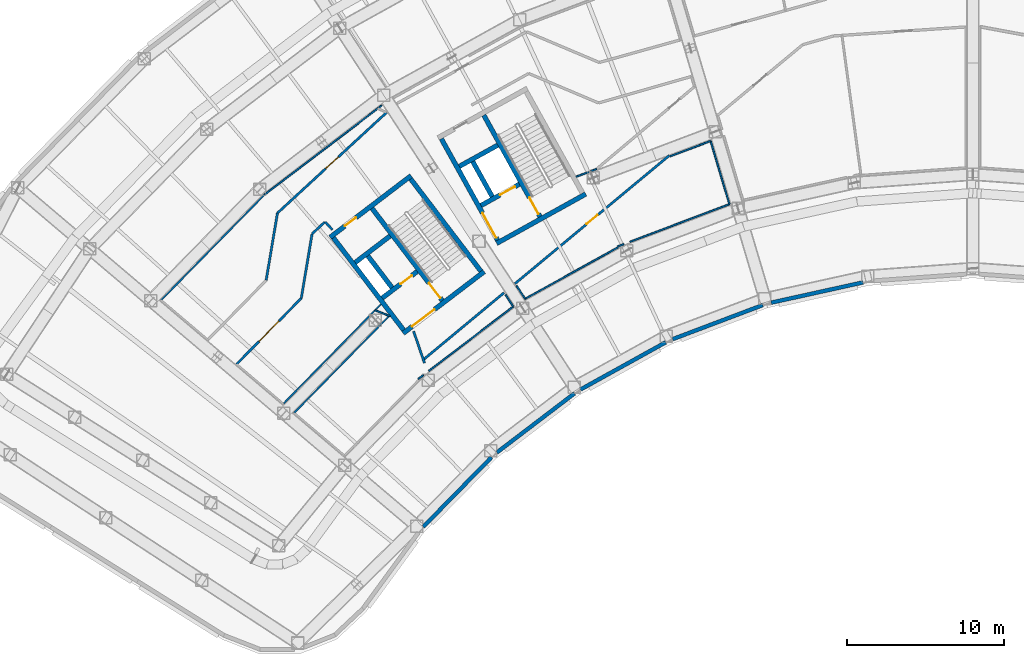
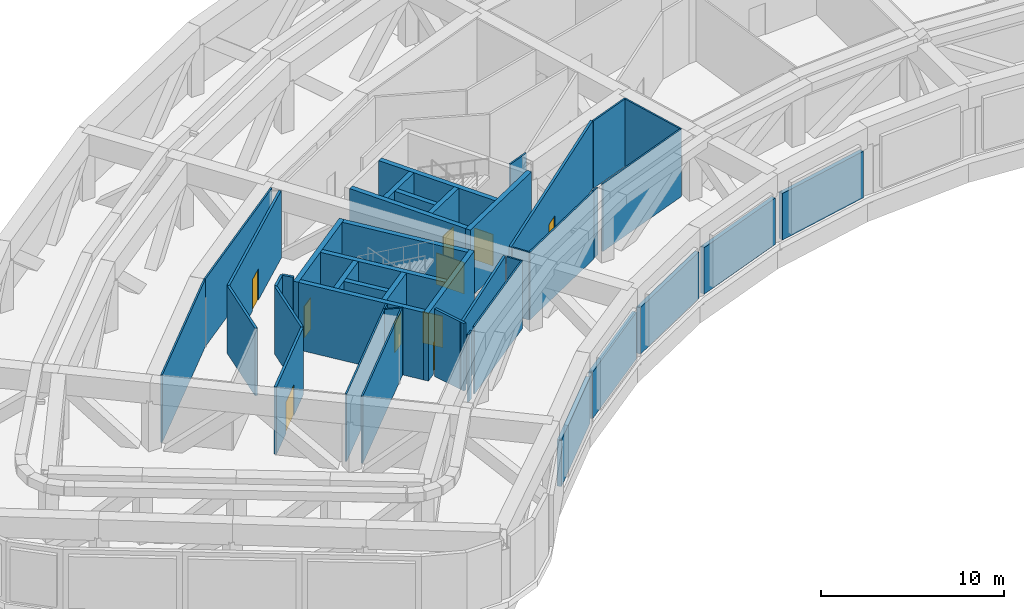
# One storey, part 10 of 30: 43 walls, 10 doors, 10 openings.
"""IFC4 building model written with IfcOpenShell, lengths in metres."""

from ifc_helpers import new_model, si_unit, direction, frame, frame_2d, origin, place, context, subcontext, project, spatial, rectangle, extrude, material, layer, layer_set, type_object, element, fill, save


model = new_model("IFC4")

# Units and contexts
model_context = context("Model", 3, precision=1e-05, world=origin(), true_north=direction((0.0, 1.0)))
body_context = subcontext(model_context, "Body", "Model", "MODEL_VIEW")
ifc_project = project(units=[si_unit("LENGTHUNIT", "METRE"), si_unit("AREAUNIT", "SQUARE_METRE"), si_unit("VOLUMEUNIT", "CUBIC_METRE"), si_unit("PLANEANGLEUNIT", "RADIAN"), si_unit("MASSUNIT", "GRAM", prefix="KILO")], contexts=[model_context])

# Site, building, storey
site_placement = place(None, origin())
site = spatial("IfcSite", under=ifc_project, at=site_placement, CompositionType="ELEMENT")
building_placement = place(site_placement, origin())
building = spatial("IfcBuilding", under=site, at=building_placement, Name="Tuul Gate Civic Tower", CompositionType="ELEMENT")
storey_placement = place(building_placement, frame((0.0, 0.0, 26.699951171875)))
storey = spatial("IfcBuildingStorey", under=building, at=storey_placement, Name="Plant and refuge floor 1", CompositionType="ELEMENT", Elevation=26.699951171875)

# Wall, opening, door
ifc_material_1 = material(Name="Concrete C50/60", Category="concrete")
ifc_layer_1 = layer(ifc_material_1, 0.300048828125)
ifc_layer_set_1 = layer_set([ifc_layer_1], Name="Concrete C50/60")
wall_type_1 = type_object("IfcWallType", Name="Core wall C50/60", PredefinedType="SHEAR", material=ifc_layer_set_1)
wall_1_placement = place(storey_placement, frame((-31.19091796875, -13.669677734375, 0.0), z_axis=(0.0, 0.0, 1.0), x_axis=(-0.795606717756, -0.605813461934, 0.0)))
wall_1 = element("IfcWall", 1, at=wall_1_placement, inside=storey, type_object=wall_type_1, Name="Core wall", PredefinedType="SHEAR", context=body_context, shape_type="SweptSolid", body=[
    extrude(rectangle(XDim=6.5, YDim=0.300048828125, at=frame_2d((3.25, 0.0))), origin(), (0.0, 0.0, 1.0), 4.5),
])
opening_1_placement = place(wall_1_placement, frame((3.97509765625, 0.0, 0.0)))
opening_1 = element("IfcOpeningElement", 2, at=opening_1_placement, cuts=wall_1, Name="Opening LB-W1-LOBBY-1", PredefinedType="OPENING", context=body_context, shape_type="SweptSolid", body=[
    extrude(rectangle(XDim=1.800048828125, YDim=2.10009765625, at=frame_2d((0.89990234375, 1.050048828125))), frame((0.0, 0.16015625, 0.0), z_axis=(0.0, -1.0, 0.0), x_axis=(1.0, 0.0, 0.0)), (0.0, 0.0, 1.0), 0.320068359375),
])
ifc_material_2 = material(Name="Steel", Category="steel")
door_type_1 = type_object("IfcDoorType", Name="Lobby door", OperationType="DOUBLE_DOOR_SINGLE_SWING", PredefinedType="DOOR", material=ifc_material_2)
door_1_placement = place(opening_1_placement, origin())
door_1 = element("IfcDoor", 3, at=door_1_placement, inside=storey, type_object=door_type_1, Name="Lobby door W1-LOBBY", OperationType="DOUBLE_DOOR_SINGLE_SWING", OverallHeight=2.10009765625, OverallWidth=1.800048828125, PredefinedType="DOOR", context=body_context, shape_type="SweptSolid", body=[
    extrude(rectangle(XDim=1.800048828125, YDim=2.10009765625, at=frame_2d((0.89990234375, 1.050048828125))), frame((0.0, 0.02490234375, 0.0), z_axis=(0.0, -1.0, 0.0), x_axis=(1.0, 0.0, 0.0)), (0.0, 0.0, 1.0), 0.050048828125),
])
fill(opening_1, door_1)

wall_2_placement = place(storey_placement, frame((-35.470947265625, -13.66064453125, 0.0), z_axis=(0.0, 0.0, 1.0), x_axis=(-0.795615822227, -0.605801504968, 0.0)))
wall_2 = element("IfcWall", 4, at=wall_2_placement, inside=storey, type_object=wall_type_1, Name="Core wall", PredefinedType="SHEAR", context=body_context, shape_type="SweptSolid", body=[
    extrude(rectangle(XDim=2.800048828125, YDim=0.300048828125, at=frame_2d((1.39990234375, 0.0))), origin(), (0.0, 0.0, 1.0), 4.5),
])
opening_2_placement = place(wall_2_placement, frame((0.425048828125, 0.0, 0.0)))
opening_2 = element("IfcOpeningElement", 5, at=opening_2_placement, cuts=wall_2, Name="Opening FB-W1A1", PredefinedType="OPENING", context=body_context, shape_type="SweptSolid", body=[
    extrude(rectangle(XDim=0.89990234375, YDim=2.10009765625, at=frame_2d((0.449951171875, 1.050048828125))), frame((0.0, 0.16015625, 0.0), z_axis=(0.0, -1.0, 0.0), x_axis=(1.0, 0.0, 0.0)), (0.0, 0.0, 1.0), 0.320068359375),
])
ifc_material_3 = material(Name="Steel", Category="steel")
door_type_2 = type_object("IfcDoorType", Name="Store door", OperationType="NOTDEFINED", PredefinedType="DOOR", material=ifc_material_3)
door_2_placement = place(opening_2_placement, frame((0.89990234375, 0.0, 0.0), z_axis=(0.0, 0.0, 1.0), x_axis=(-1.0, 0.0, 0.0)))
door_2 = element("IfcDoor", 6, at=door_2_placement, inside=storey, type_object=door_type_2, Name="Store door W1A1", OperationType="SINGLE_SWING_RIGHT", OverallHeight=2.10009765625, OverallWidth=0.89990234375, PredefinedType="DOOR", context=body_context, shape_type="SweptSolid", body=[
    extrude(rectangle(XDim=0.89990234375, YDim=2.10009765625, at=frame_2d((0.449951171875, 1.050048828125))), frame((0.0, 0.02490234375, 0.0), z_axis=(0.0, -1.0, 0.0), x_axis=(1.0, 0.0, 0.0)), (0.0, 0.0, 1.0), 0.050048828125),
])
fill(opening_2, door_2)

# Wall
wall_3_placement = place(storey_placement, frame((-37.197509765625, -11.39306640625, 0.0), z_axis=(0.0, 0.0, 1.0), x_axis=(-0.795583820278, -0.605843531707, 0.0)))
element("IfcWall", 7, at=wall_3_placement, inside=storey, type_object=wall_type_1, Name="Core wall", PredefinedType="SHEAR", context=body_context, shape_type="SweptSolid", body=[
    extrude(rectangle(XDim=2.7998046875, YDim=0.300048828125, at=frame_2d((1.39990234375, 0.0))), origin(), (0.0, 0.0, 1.0), 4.5),
])

# Wall, opening, door
wall_4_placement = place(storey_placement, frame((-35.855224609375, -7.543212890625, 0.0), z_axis=(0.0, 0.0, 1.0), x_axis=(-0.79563860527, -0.605771582202, 0.0)))
wall_4 = element("IfcWall", 8, at=wall_4_placement, inside=storey, type_object=wall_type_1, Name="Core wall", PredefinedType="SHEAR", context=body_context, shape_type="SweptSolid", body=[
    extrude(rectangle(XDim=6.5, YDim=0.300048828125, at=frame_2d((3.25, 0.0))), origin(), (0.0, 0.0, 1.0), 4.5),
])
opening_3_placement = place(wall_4_placement, frame((4.425048828125, 0.0, 0.0)))
opening_3 = element("IfcOpeningElement", 9, at=opening_3_placement, cuts=wall_4, Name="Opening PA-D24", PredefinedType="OPENING", context=body_context, shape_type="SweptSolid", body=[
    extrude(rectangle(XDim=0.89990234375, YDim=2.10009765625, at=frame_2d((0.449951171875, 1.050048828125))), frame((0.0, 0.16015625, 0.0), z_axis=(0.0, -1.0, 0.0), x_axis=(1.0, 0.0, 0.0)), (0.0, 0.0, 1.0), 0.320068359375),
])
ifc_material_4 = material(Name="Timber door leaf", Category="wood")
door_type_3 = type_object("IfcDoorType", Name="Door D09", OperationType="NOTDEFINED", PredefinedType="DOOR", material=ifc_material_4)
door_3_placement = place(opening_3_placement, origin())
door_3 = element("IfcDoor", 10, at=door_3_placement, inside=storey, type_object=door_type_3, Name="Door PA-D24", OperationType="SINGLE_SWING_LEFT", OverallHeight=2.10009765625, OverallWidth=0.89990234375, PredefinedType="DOOR", context=body_context, shape_type="SweptSolid", body=[
    extrude(rectangle(XDim=0.89990234375, YDim=2.10009765625, at=frame_2d((0.449951171875, 1.050048828125))), frame((0.0, 0.02490234375, 0.0), z_axis=(0.0, -1.0, 0.0), x_axis=(1.0, 0.0, 0.0)), (0.0, 0.0, 1.0), 0.050048828125),
])
fill(opening_3, door_3)

# Wall
wall_5_placement = place(storey_placement, frame((-31.401123046875, -13.64111328125, 0.0), z_axis=(0.0, 0.0, 1.0), x_axis=(-0.605769822278, 0.795639945213, 0.0)))
element("IfcWall", 11, at=wall_5_placement, inside=storey, type_object=wall_type_1, Name="Core wall", PredefinedType="SHEAR", context=body_context, shape_type="SweptSolid", body=[
    extrude(rectangle(XDim=7.39990234375, YDim=0.300048828125, at=frame_2d((3.699951171875, 0.0))), origin(), (0.0, 0.0, 1.0), 4.5),
])

# Wall, opening, door
wall_6_placement = place(storey_placement, frame((-33.867431640625, -15.51904296875, 0.0), z_axis=(0.0, 0.0, 1.0), x_axis=(-0.605769822278, 0.795639945213, 0.0)))
wall_6 = element("IfcWall", 12, at=wall_6_placement, inside=storey, type_object=wall_type_1, Name="Core wall", PredefinedType="SHEAR", context=body_context, shape_type="SweptSolid", body=[
    extrude(rectangle(XDim=7.39990234375, YDim=0.300048828125, at=frame_2d((3.699951171875, 0.0))), origin(), (0.0, 0.0, 1.0), 4.5),
])
opening_4_placement = place(wall_6_placement, frame((0.199951171875, 0.0, 0.0)))
opening_4 = element("IfcOpeningElement", 13, at=opening_4_placement, cuts=wall_6, Name="Opening SD-ST-1", PredefinedType="OPENING", context=body_context, shape_type="SweptSolid", body=[
    extrude(rectangle(XDim=1.199951171875, YDim=2.10009765625, at=frame_2d((0.60009765625, 1.050048828125))), frame((0.0, 0.16015625, 0.0), z_axis=(0.0, -1.0, 0.0), x_axis=(1.0, 0.0, 0.0)), (0.0, 0.0, 1.0), 0.320068359375),
])
ifc_material_5 = material(Name="Steel", Category="steel")
door_type_4 = type_object("IfcDoorType", Name="Stair door", OperationType="NOTDEFINED", PredefinedType="DOOR", material=ifc_material_5)
door_4_placement = place(opening_4_placement, origin())
door_4 = element("IfcDoor", 14, at=door_4_placement, inside=storey, type_object=door_type_4, Name="Stair door ST-1", OperationType="SINGLE_SWING_LEFT", OverallHeight=2.10009765625, OverallWidth=1.199951171875, PredefinedType="DOOR", context=body_context, shape_type="SweptSolid", body=[
    extrude(rectangle(XDim=1.199951171875, YDim=2.10009765625, at=frame_2d((0.60009765625, 1.050048828125))), frame((0.0, 0.02490234375, 0.0), z_axis=(0.0, -1.0, 0.0), x_axis=(1.0, 0.0, 0.0)), (0.0, 0.0, 1.0), 0.050048828125),
])
fill(opening_4, door_4)

# Walls
wall_7_placement = place(storey_placement, frame((-37.073486328125, -14.6923828125, 0.0), z_axis=(0.0, 0.0, 1.0), x_axis=(-0.605728760074, 0.79567120673, 0.0)))
element("IfcWall", 15, at=wall_7_placement, inside=storey, type_object=wall_type_1, Name="Core wall", PredefinedType="SHEAR", context=body_context, shape_type="SweptSolid", body=[
    extrude(rectangle(XDim=2.550048828125, YDim=0.300048828125, at=frame_2d((1.27490234375, 0.0))), origin(), (0.0, 0.0, 1.0), 4.5),
])
wall_8_placement = place(storey_placement, frame((-36.333984375, -17.397216796875, 0.0), z_axis=(0.0, 0.0, 1.0), x_axis=(-0.605753921168, 0.795652051458, 0.0)))
element("IfcWall", 16, at=wall_8_placement, inside=storey, type_object=wall_type_1, Name="Core wall", PredefinedType="SHEAR", context=body_context, shape_type="SweptSolid", body=[
    extrude(rectangle(XDim=7.400146484375, YDim=0.300048828125, at=frame_2d((3.7001953125, 0.0))), origin(), (0.0, 0.0, 1.0), 4.5),
])
wall_9_placement = place(storey_placement, frame((-24.711669921875, -8.7158203125, 0.0), z_axis=(0.0, 0.0, 1.0), x_axis=(-0.874629909008, -0.484791215132, 0.0)))
element("IfcWall", 17, at=wall_9_placement, inside=storey, type_object=wall_type_1, Name="Core wall", PredefinedType="SHEAR", context=body_context, shape_type="SweptSolid", body=[
    extrude(rectangle(XDim=6.5, YDim=0.300048828125, at=frame_2d((3.25, 0.0))), origin(), (0.0, 0.0, 1.0), 4.5),
])

# Wall, opening, door
wall_10_placement = place(storey_placement, frame((-28.94580078125, -8.090087890625, 0.0), z_axis=(0.0, 0.0, 1.0), x_axis=(-0.874629840737, -0.484791338301, 0.0)))
wall_10 = element("IfcWall", 18, at=wall_10_placement, inside=storey, type_object=wall_type_1, Name="Core wall", PredefinedType="SHEAR", context=body_context, shape_type="SweptSolid", body=[
    extrude(rectangle(XDim=2.800048828125, YDim=0.300048828125, at=frame_2d((1.39990234375, 0.0))), origin(), (0.0, 0.0, 1.0), 4.5),
])
opening_5_placement = place(wall_10_placement, frame((0.324951171875, 0.0, 0.0)))
opening_5 = element("IfcOpeningElement", 19, at=opening_5_placement, cuts=wall_10, Name="Opening LD-FF-1", PredefinedType="OPENING", context=body_context, shape_type="SweptSolid", body=[
    extrude(rectangle(XDim=1.10009765625, YDim=2.10009765625, at=frame_2d((0.550048828125, 1.050048828125))), frame((0.0, 0.16015625, 0.0), z_axis=(0.0, -1.0, 0.0), x_axis=(1.0, 0.0, 0.0)), (0.0, 0.0, 1.0), 0.320068359375),
])
ifc_material_6 = material(Name="Stainless steel", Category="steel")
door_type_5 = type_object("IfcDoorType", Name="Landing door", OperationType="DOUBLE_DOOR_SLIDING", PredefinedType="DOOR", material=ifc_material_6)
door_5_placement = place(opening_5_placement, origin())
door_5 = element("IfcDoor", 20, at=door_5_placement, inside=storey, type_object=door_type_5, Name="Fire-fighting lift FF-1 landing door", OperationType="DOUBLE_DOOR_SLIDING", OverallHeight=2.10009765625, OverallWidth=1.10009765625, PredefinedType="DOOR", context=body_context, shape_type="SweptSolid", body=[
    extrude(rectangle(XDim=1.10009765625, YDim=2.10009765625, at=frame_2d((0.550048828125, 1.050048828125))), frame((0.0, 0.02490234375, 0.0), z_axis=(0.0, -1.0, 0.0), x_axis=(1.0, 0.0, 0.0)), (0.0, 0.0, 1.0), 0.050048828125),
])
fill(opening_5, door_5)

# Wall
wall_11_placement = place(storey_placement, frame((-30.327392578125, -5.59716796875, 0.0), z_axis=(0.0, 0.0, 1.0), x_axis=(-0.874629840737, -0.484791338301, 0.0)))
element("IfcWall", 21, at=wall_11_placement, inside=storey, type_object=wall_type_1, Name="Core wall", PredefinedType="SHEAR", context=body_context, shape_type="SweptSolid", body=[
    extrude(rectangle(XDim=2.800048828125, YDim=0.300048828125, at=frame_2d((1.39990234375, 0.0))), origin(), (0.0, 0.0, 1.0), 4.5),
])

# Wall, opening, door
wall_12_placement = place(storey_placement, frame((-27.626953125, -10.16015625, 0.0), z_axis=(0.0, 0.0, 1.0), x_axis=(-0.484751894226, 0.874651702704, 0.0)))
wall_12 = element("IfcWall", 22, at=wall_12_placement, inside=storey, type_object=wall_type_1, Name="Core wall", PredefinedType="SHEAR", context=body_context, shape_type="SweptSolid", body=[
    extrude(rectangle(XDim=7.39990234375, YDim=0.300048828125, at=frame_2d((3.699951171875, 0.0))), origin(), (0.0, 0.0, 1.0), 4.5),
])
opening_6_placement = place(wall_12_placement, frame((0.199951171875, 0.0, 0.0)))
opening_6 = element("IfcOpeningElement", 23, at=opening_6_placement, cuts=wall_12, Name="Opening SD-ST-2", PredefinedType="OPENING", context=body_context, shape_type="SweptSolid", body=[
    extrude(rectangle(XDim=1.199951171875, YDim=2.10009765625, at=frame_2d((0.60009765625, 1.050048828125))), frame((0.0, 0.16015625, 0.0), z_axis=(0.0, -1.0, 0.0), x_axis=(1.0, 0.0, 0.0)), (0.0, 0.0, 1.0), 0.320068359375),
])
door_6_placement = place(opening_6_placement, origin())
door_6 = element("IfcDoor", 24, at=door_6_placement, inside=storey, type_object=door_type_4, Name="Stair door ST-2", OperationType="SINGLE_SWING_LEFT", OverallHeight=2.10009765625, OverallWidth=1.199951171875, PredefinedType="DOOR", context=body_context, shape_type="SweptSolid", body=[
    extrude(rectangle(XDim=1.199951171875, YDim=2.10009765625, at=frame_2d((0.60009765625, 1.050048828125))), frame((0.0, 0.02490234375, 0.0), z_axis=(0.0, -1.0, 0.0), x_axis=(1.0, 0.0, 0.0)), (0.0, 0.0, 1.0), 0.050048828125),
])
fill(opening_6, door_6)

# Wall
wall_13_placement = place(storey_placement, frame((-30.680419921875, -8.8798828125, 0.0), z_axis=(0.0, 0.0, 1.0), x_axis=(-0.484724115216, 0.874667097888, 0.0)))
element("IfcWall", 25, at=wall_13_placement, inside=storey, type_object=wall_type_1, Name="Core wall", PredefinedType="SHEAR", context=body_context, shape_type="SweptSolid", body=[
    extrude(rectangle(XDim=2.550048828125, YDim=0.300048828125, at=frame_2d((1.27490234375, 0.0))), origin(), (0.0, 0.0, 1.0), 4.5),
])

# Wall, opening, door
wall_14_placement = place(storey_placement, frame((-30.33837890625, -11.6630859375, 0.0), z_axis=(0.0, 0.0, 1.0), x_axis=(-0.484751894226, 0.874651702704, 0.0)))
wall_14 = element("IfcWall", 26, at=wall_14_placement, inside=storey, type_object=wall_type_1, Name="Core wall", PredefinedType="SHEAR", context=body_context, shape_type="SweptSolid", body=[
    extrude(rectangle(XDim=7.39990234375, YDim=0.300048828125, at=frame_2d((3.699951171875, 0.0))), origin(), (0.0, 0.0, 1.0), 4.5),
])
opening_7_placement = place(wall_14_placement, frame((0.175048828125, 0.0, 0.0)))
opening_7 = element("IfcOpeningElement", 27, at=opening_7_placement, cuts=wall_14, Name="Opening LB-W2-FLOBBY-1", PredefinedType="OPENING", context=body_context, shape_type="SweptSolid", body=[
    extrude(rectangle(XDim=1.800048828125, YDim=2.10009765625, at=frame_2d((0.89990234375, 1.050048828125))), frame((0.0, 0.16015625, 0.0), z_axis=(0.0, -1.0, 0.0), x_axis=(1.0, 0.0, 0.0)), (0.0, 0.0, 1.0), 0.320068359375),
])
door_7_placement = place(opening_7_placement, frame((1.800048828125, 0.0, 0.0), z_axis=(0.0, 0.0, 1.0), x_axis=(-1.0, 0.0, 0.0)))
door_7 = element("IfcDoor", 28, at=door_7_placement, inside=storey, type_object=door_type_1, Name="Lobby door W2-FLOBBY", OperationType="DOUBLE_DOOR_SINGLE_SWING", OverallHeight=2.10009765625, OverallWidth=1.800048828125, PredefinedType="DOOR", context=body_context, shape_type="SweptSolid", body=[
    extrude(rectangle(XDim=1.800048828125, YDim=2.10009765625, at=frame_2d((0.900146484375, 1.050048828125))), frame((0.0, 0.02490234375, 0.0), z_axis=(0.0, -1.0, 0.0), x_axis=(1.0, 0.0, 0.0)), (0.0, 0.0, 1.0), 0.050048828125),
])
fill(opening_7, door_7)

# Wall
ifc_material_7 = material(Name="Gypsum board partition")
ifc_layer_2 = layer(ifc_material_7, 0.14990234375)
ifc_layer_set_2 = layer_set([ifc_layer_2], Name="Gypsum board partition")
wall_type_2 = type_object("IfcWallType", Name="Corridor wall P150", PredefinedType="PARTITIONING", material=ifc_layer_set_2)
wall_15_placement = place(storey_placement, frame((-35.1328125, -19.343017578125, 0.0), z_axis=(0.0, 0.0, 1.0), x_axis=(0.769297081045, 0.638891227906, 0.0)))
element("IfcWall", 29, at=wall_15_placement, inside=storey, type_object=wall_type_2, Name="p043", PredefinedType="PARTITIONING", context=body_context, shape_type="SweptSolid", body=[
    extrude(rectangle(XDim=6.76416015625, YDim=0.14990234375, at=frame_2d((3.382080078125, 0.0))), origin(), (0.0, 0.0, 1.0), 4.5),
])

# Wall, opening, door
wall_16_placement = place(storey_placement, frame((-29.231689453125, -14.4423828125, 0.0), z_axis=(0.0, 0.0, 1.0), x_axis=(0.769305145758, 0.638881516957, 0.0)))
wall_16 = element("IfcWall", 30, at=wall_16_placement, inside=storey, type_object=wall_type_2, Name="p044", PredefinedType="PARTITIONING", context=body_context, shape_type="SweptSolid", body=[
    extrude(rectangle(XDim=12.81884765625, YDim=0.14990234375, at=frame_2d((6.409423828125, 0.0))), origin(), (0.0, 0.0, 1.0), 4.5),
])
opening_8_placement = place(wall_16_placement, frame((5.95947265625, 0.0, 0.0)))
opening_8 = element("IfcOpeningElement", 31, at=opening_8_placement, cuts=wall_16, Name="Opening PA-D191", PredefinedType="OPENING", context=body_context, shape_type="SweptSolid", body=[
    extrude(rectangle(XDim=0.89990234375, YDim=2.10009765625, at=frame_2d((0.449951171875, 1.050048828125))), frame((0.0, 0.0849609375, 0.0), z_axis=(0.0, -1.0, 0.0), x_axis=(1.0, 0.0, 0.0)), (0.0, 0.0, 1.0), 0.169921875),
])
door_8_placement = place(opening_8_placement, frame((0.89990234375, 0.0, 0.0), z_axis=(0.0, 0.0, 1.0), x_axis=(-1.0, 0.0, 0.0)))
door_8 = element("IfcDoor", 32, at=door_8_placement, inside=storey, type_object=door_type_3, Name="Door PA-D19", OperationType="SINGLE_SWING_LEFT", OverallHeight=2.10009765625, OverallWidth=0.89990234375, PredefinedType="DOOR", context=body_context, shape_type="SweptSolid", body=[
    extrude(rectangle(XDim=0.89990234375, YDim=2.10009765625, at=frame_2d((0.449951171875, 1.050048828125))), frame((0.0, 0.02490234375, 0.0), z_axis=(0.0, -1.0, 0.0), x_axis=(1.0, 0.0, 0.0)), (0.0, 0.0, 1.0), 0.050048828125),
])
fill(opening_8, door_8)

# Wall
wall_17_placement = place(storey_placement, frame((-45.1064453125, -14.21875, 0.0), z_axis=(0.0, 0.0, 1.0), x_axis=(0.165456081418, 0.986217159211, 0.0)))
element("IfcWall", 33, at=wall_17_placement, inside=storey, type_object=wall_type_2, Name="p052", PredefinedType="PARTITIONING", context=body_context, shape_type="SweptSolid", body=[
    extrude(rectangle(XDim=4.343994140625, YDim=0.14990234375, at=frame_2d((2.171875, 0.0))), origin(), (0.0, 0.0, 1.0), 4.5),
])

# Wall, opening, door
wall_18_placement = place(storey_placement, frame((-44.386962890625, -9.932861328125, 0.0), z_axis=(0.0, 0.0, 1.0), x_axis=(0.735370350206, 0.677665439607, 0.0)))
wall_18 = element("IfcWall", 34, at=wall_18_placement, inside=storey, type_object=wall_type_2, Name="p054", PredefinedType="PARTITIONING", context=body_context, shape_type="SweptSolid", body=[
    extrude(rectangle(XDim=9.472900390625, YDim=0.14990234375, at=frame_2d((4.736328125, 0.0))), origin(), (0.0, 0.0, 1.0), 4.5),
])
opening_9_placement = place(wall_18_placement, frame((4.1865234375, 0.0, 0.0)))
opening_9 = element("IfcOpeningElement", 35, at=opening_9_placement, cuts=wall_18, Name="Opening PA-D21", PredefinedType="OPENING", context=body_context, shape_type="SweptSolid", body=[
    extrude(rectangle(XDim=1.10009765625, YDim=2.10009765625, at=frame_2d((0.550048828125, 1.050048828125))), frame((0.0, 0.0849609375, 0.0), z_axis=(0.0, -1.0, 0.0), x_axis=(1.0, 0.0, 0.0)), (0.0, 0.0, 1.0), 0.169921875),
])
ifc_material_8 = material(Name="Timber door leaf", Category="wood")
door_type_6 = type_object("IfcDoorType", Name="Door D11", OperationType="NOTDEFINED", PredefinedType="DOOR", material=ifc_material_8)
door_9_placement = place(opening_9_placement, frame((1.10009765625, 0.0, 0.0), z_axis=(0.0, 0.0, 1.0), x_axis=(-1.0, 0.0, 0.0)))
door_9 = element("IfcDoor", 36, at=door_9_placement, inside=storey, type_object=door_type_6, Name="Door PA-D21", OperationType="SINGLE_SWING_LEFT", OverallHeight=2.10009765625, OverallWidth=1.10009765625, PredefinedType="DOOR", context=body_context, shape_type="SweptSolid", body=[
    extrude(rectangle(XDim=1.10009765625, YDim=2.10009765625, at=frame_2d((0.550048828125, 1.050048828125))), frame((0.0, 0.02490234375, 0.0), z_axis=(0.0, -1.0, 0.0), x_axis=(1.0, 0.0, 0.0)), (0.0, 0.0, 1.0), 0.050048828125),
])
fill(opening_9, door_9)

# Wall
wall_19_placement = place(storey_placement, frame((-35.69580078125, -17.47802734375, 0.0), z_axis=(0.0, 0.0, 1.0), x_axis=(0.324496364799, -0.945886943156, 0.0)))
element("IfcWall", 37, at=wall_19_placement, inside=storey, type_object=wall_type_2, Name="p055", PredefinedType="PARTITIONING", context=body_context, shape_type="SweptSolid", body=[
    extrude(rectangle(XDim=2.140380859375, YDim=0.14990234375, at=frame_2d((1.0703125, 0.0))), origin(), (0.0, 0.0, 1.0), 4.5),
])

# Wall, opening, door
wall_20_placement = place(storey_placement, frame((-46.9931640625, -19.57763671875, 0.0), z_axis=(0.0, 0.0, 1.0), x_axis=(0.700031661933, 0.714111806576, 0.0)))
wall_20 = element("IfcWall", 38, at=wall_20_placement, inside=storey, type_object=wall_type_2, Name="p056", PredefinedType="PARTITIONING", context=body_context, shape_type="SweptSolid", body=[
    extrude(rectangle(XDim=5.895263671875, YDim=0.14990234375, at=frame_2d((2.94775390625, 0.0))), origin(), (0.0, 0.0, 1.0), 4.5),
])
opening_10_placement = place(wall_20_placement, frame((2.047607421875, 0.0, 0.0)))
opening_10 = element("IfcOpeningElement", 39, at=opening_10_placement, cuts=wall_20, Name="Opening PA-D221", PredefinedType="OPENING", context=body_context, shape_type="SweptSolid", body=[
    extrude(rectangle(XDim=1.800048828125, YDim=2.10009765625, at=frame_2d((0.89990234375, 1.050048828125))), frame((0.0, 0.0849609375, 0.0), z_axis=(0.0, -1.0, 0.0), x_axis=(1.0, 0.0, 0.0)), (0.0, 0.0, 1.0), 0.169921875),
])
ifc_material_9 = material(Name="Timber door leaf, double", Category="wood")
door_type_7 = type_object("IfcDoorType", Name="Door D18", OperationType="DOUBLE_DOOR_SINGLE_SWING", PredefinedType="DOOR", material=ifc_material_9)
door_10_placement = place(opening_10_placement, frame((1.800048828125, 0.0, 0.0), z_axis=(0.0, 0.0, 1.0), x_axis=(-1.0, 0.0, 0.0)))
door_10 = element("IfcDoor", 40, at=door_10_placement, inside=storey, type_object=door_type_7, Name="Door PA-D22", OperationType="DOUBLE_DOOR_SINGLE_SWING", OverallHeight=2.10009765625, OverallWidth=1.800048828125, PredefinedType="DOOR", context=body_context, shape_type="SweptSolid", body=[
    extrude(rectangle(XDim=1.800048828125, YDim=2.10009765625, at=frame_2d((0.900146484375, 1.050048828125))), frame((0.0, 0.02490234375, 0.0), z_axis=(0.0, -1.0, 0.0), x_axis=(1.0, 0.0, 0.0)), (0.0, 0.0, 1.0), 0.050048828125),
])
fill(opening_10, door_10)

# Walls
wall_21_placement = place(storey_placement, frame((-42.865478515625, -15.365966796875, 0.0), z_axis=(0.0, 0.0, 1.0), x_axis=(0.165464943488, 0.986215672395, 0.0)))
element("IfcWall", 41, at=wall_21_placement, inside=storey, type_object=wall_type_2, Name="p057", PredefinedType="PARTITIONING", context=body_context, shape_type="SweptSolid", body=[
    extrude(rectangle(XDim=4.159423828125, YDim=0.14990234375, at=frame_2d((2.07958984375, 0.0))), origin(), (0.0, 0.0, 1.0), 4.5),
])
wall_22_placement = place(storey_placement, frame((-42.17041015625, -11.251220703125, 0.0), z_axis=(0.0, 0.0, 1.0), x_axis=(0.734294928649, 0.678830581044, 0.0)))
element("IfcWall", 42, at=wall_22_placement, inside=storey, type_object=wall_type_2, Name="p058", PredefinedType="PARTITIONING", context=body_context, shape_type="SweptSolid", body=[
    extrude(rectangle(XDim=1.104736328125, YDim=0.14990234375, at=frame_2d((0.55224609375, 0.0))), origin(), (0.0, 0.0, 1.0), 4.5),
])
wall_23_placement = place(storey_placement, frame((-41.329345703125, -10.502685546875, 0.0), z_axis=(0.0, 0.0, 1.0), x_axis=(0.670874757648, -0.741570670638, 0.0)))
element("IfcWall", 43, at=wall_23_placement, inside=storey, type_object=wall_type_2, Name="p059", PredefinedType="PARTITIONING", context=body_context, shape_type="SweptSolid", body=[
    extrude(rectangle(XDim=0.6630859375, YDim=0.14990234375, at=frame_2d((0.33154296875, 0.0))), origin(), (0.0, 0.0, 1.0), 4.5),
])
ifc_material_10 = material(Name="Precast concrete C40/50", Category="concrete")
ifc_layer_3 = layer(ifc_material_10, 0.25)
ifc_layer_set_3 = layer_set([ifc_layer_3], Name="Precast concrete C40/50")
wall_type_3 = type_object("IfcWallType", Name="External wall 3100 HIGH", PredefinedType="STANDARD", material=ifc_layer_set_3)
wall_24_placement = place(storey_placement, frame((-35.092041015625, -29.97119140625, 0.0), z_axis=(0.0, 0.0, 1.0), x_axis=(0.700009604238, 0.714133428692, 0.0)))
element("IfcWall", 44, at=wall_24_placement, inside=storey, type_object=wall_type_3, Name="External wall", PredefinedType="STANDARD", context=body_context, shape_type="SweptSolid", body=[
    extrude(rectangle(XDim=6.240234375, YDim=0.25, at=frame_2d((3.1201171875, 0.0))), origin(), (0.0, 0.0, 1.0), 3.10009765625),
])
wall_25_placement = place(storey_placement, frame((-30.385986328125, -25.21826171875, 0.0), z_axis=(0.0, 0.0, 1.0), x_axis=(0.795644800978, 0.605763444487, 0.0)))
element("IfcWall", 45, at=wall_25_placement, inside=storey, type_object=wall_type_3, Name="External wall", PredefinedType="STANDARD", context=body_context, shape_type="SweptSolid", body=[
    extrude(rectangle(XDim=6.23193359375, YDim=0.25, at=frame_2d((3.115966796875, 0.0))), origin(), (0.0, 0.0, 1.0), 3.10009765625),
])
wall_26_placement = place(storey_placement, frame((-25.0380859375, -21.1923828125, 0.0), z_axis=(0.0, 0.0, 1.0), x_axis=(0.874668758588, 0.484721118531, 0.0)))
element("IfcWall", 46, at=wall_26_placement, inside=storey, type_object=wall_type_3, Name="External wall", PredefinedType="STANDARD", context=body_context, shape_type="SweptSolid", body=[
    extrude(rectangle(XDim=6.208251953125, YDim=0.25, at=frame_2d((3.10400390625, 0.0))), origin(), (0.0, 0.0, 1.0), 3.10009765625),
])
wall_27_placement = place(storey_placement, frame((-19.157958984375, -17.97998046875, 0.0), z_axis=(0.0, 0.0, 1.0), x_axis=(0.935337776513, 0.353755909953, 0.0)))
element("IfcWall", 47, at=wall_27_placement, inside=storey, type_object=wall_type_3, Name="External wall", PredefinedType="STANDARD", context=body_context, shape_type="SweptSolid", body=[
    extrude(rectangle(XDim=6.145751953125, YDim=0.25, at=frame_2d((3.07275390625, 0.0))), origin(), (0.0, 0.0, 1.0), 3.10009765625),
])
wall_28_placement = place(storey_placement, frame((-12.8701171875, -15.650146484375, 0.0), z_axis=(0.0, 0.0, 1.0), x_axis=(0.976558130997, 0.215253842669, 0.0)))
element("IfcWall", 48, at=wall_28_placement, inside=storey, type_object=wall_type_3, Name="External wall", PredefinedType="STANDARD", context=body_context, shape_type="SweptSolid", body=[
    extrude(rectangle(XDim=5.998779296875, YDim=0.25, at=frame_2d((2.99951171875, 0.0))), origin(), (0.0, 0.0, 1.0), 3.10009765625),
])
ifc_material_11 = material(Name="Gypsum board partition")
ifc_layer_4 = layer(ifc_material_11, 0.10009765625)
ifc_layer_set_4 = layer_set([ifc_layer_4], Name="Gypsum board partition")
wall_type_4 = type_object("IfcWallType", Name="Partition P100", PredefinedType="PARTITIONING", material=ifc_layer_set_4)
wall_29_placement = place(storey_placement, frame((-19.323486328125, -6.308837890625, 0.0), z_axis=(0.0, 0.0, 1.0), x_axis=(0.935378646003, 0.353647831326, 0.0)))
element("IfcWall", 49, at=wall_29_placement, inside=storey, type_object=wall_type_4, Name="p130", PredefinedType="PARTITIONING", context=body_context, shape_type="SweptSolid", body=[
    extrude(rectangle(XDim=2.764892578125, YDim=0.10009765625, at=frame_2d((1.38232421875, 0.0))), origin(), (0.0, 0.0, 1.0), 4.5),
])
wall_30_placement = place(storey_placement, frame((-16.7373046875, -5.3310546875, 0.0), z_axis=(0.0, 0.0, 1.0), x_axis=(0.285203502584, -0.958466985406, 0.0)))
element("IfcWall", 50, at=wall_30_placement, inside=storey, type_object=wall_type_4, Name="p131", PredefinedType="PARTITIONING", context=body_context, shape_type="SweptSolid", body=[
    extrude(rectangle(XDim=4.210693359375, YDim=0.10009765625, at=frame_2d((2.10546875, 0.0))), origin(), (0.0, 0.0, 1.0), 4.5),
])
wall_31_placement = place(storey_placement, frame((-15.536376953125, -9.366943359375, 0.0), z_axis=(0.0, 0.0, 1.0), x_axis=(-0.935367358262, -0.353677685326, 0.0)))
element("IfcWall", 51, at=wall_31_placement, inside=storey, type_object=wall_type_4, Name="p132", PredefinedType="PARTITIONING", context=body_context, shape_type="SweptSolid", body=[
    extrude(rectangle(XDim=6.7841796875, YDim=0.10009765625, at=frame_2d((3.39208984375, 0.0))), origin(), (0.0, 0.0, 1.0), 4.5),
])
wall_32_placement = place(storey_placement, frame((-22.276611328125, -11.91552734375, 0.0), z_axis=(0.0, 0.0, 1.0), x_axis=(-0.93529148989, -0.353878268532, 0.0)))
element("IfcWall", 52, at=wall_32_placement, inside=storey, type_object=wall_type_4, Name="p133", PredefinedType="PARTITIONING", context=body_context, shape_type="SweptSolid", body=[
    extrude(rectangle(XDim=0.41748046875, YDim=0.10009765625, at=frame_2d((0.208740234375, 0.0))), origin(), (0.0, 0.0, 1.0), 4.5),
])
wall_33_placement = place(storey_placement, frame((-22.6455078125, -12.1201171875, 0.0), z_axis=(0.0, 0.0, 1.0), x_axis=(-0.874594877075, -0.484854412164, 0.0)))
element("IfcWall", 53, at=wall_33_placement, inside=storey, type_object=wall_type_4, Name="p134", PredefinedType="PARTITIONING", context=body_context, shape_type="SweptSolid", body=[
    extrude(rectangle(XDim=6.7841796875, YDim=0.10009765625, at=frame_2d((3.39208984375, 0.0))), origin(), (0.0, 0.0, 1.0), 4.5),
])
wall_34_placement = place(storey_placement, frame((-28.578857421875, -15.409423828125, 0.0), z_axis=(0.0, 0.0, 1.0), x_axis=(-0.546643682715, 0.837365322991, 0.0)))
element("IfcWall", 54, at=wall_34_placement, inside=storey, type_object=wall_type_4, Name="p135", PredefinedType="PARTITIONING", context=body_context, shape_type="SweptSolid", body=[
    extrude(rectangle(XDim=1.01025390625, YDim=0.10009765625, at=frame_2d((0.505126953125, 0.0))), origin(), (0.0, 0.0, 1.0), 4.5),
])
wall_35_placement = place(storey_placement, frame((-24.014892578125, -7.120361328125, 0.0), z_axis=(0.0, 0.0, 1.0), x_axis=(-0.935392491996, -0.353611207284, 0.0)))
element("IfcWall", 55, at=wall_35_placement, inside=storey, type_object=wall_type_4, Name="p137", PredefinedType="PARTITIONING", context=body_context, shape_type="SweptSolid", body=[
    extrude(rectangle(XDim=1.3974609375, YDim=0.10009765625, at=frame_2d((0.69873046875, 0.0))), origin(), (0.0, 0.0, 1.0), 4.5),
])
wall_36_placement = place(storey_placement, frame((-51.811279296875, -15.493408203125, 0.0), z_axis=(0.0, 0.0, 1.0), x_axis=(0.700010788618, 0.714132267734, 0.0)))
element("IfcWall", 56, at=wall_36_placement, inside=storey, type_object=wall_type_4, Name="p139", PredefinedType="PARTITIONING", context=body_context, shape_type="SweptSolid", body=[
    extrude(rectangle(XDim=9.42236328125, YDim=0.10009765625, at=frame_2d((4.711181640625, 0.0))), origin(), (0.0, 0.0, 1.0), 4.5),
])
wall_37_placement = place(storey_placement, frame((-45.215576171875, -8.7646484375, 0.0), z_axis=(0.0, 0.0, 1.0), x_axis=(0.795632126575, 0.605780091421, 0.0)))
element("IfcWall", 57, at=wall_37_placement, inside=storey, type_object=wall_type_4, Name="p140", PredefinedType="PARTITIONING", context=body_context, shape_type="SweptSolid", body=[
    extrude(rectangle(XDim=9.422119140625, YDim=0.10009765625, at=frame_2d((4.7109375, 0.0))), origin(), (0.0, 0.0, 1.0), 4.5),
])
wall_38_placement = place(storey_placement, frame((-29.824951171875, -15.147216796875, 0.0), z_axis=(0.0, 0.0, 1.0), x_axis=(0.54673073025, -0.837308490701, 0.0)))
element("IfcWall", 58, at=wall_38_placement, inside=storey, type_object=wall_type_4, Name="p142", PredefinedType="PARTITIONING", context=body_context, shape_type="SweptSolid", body=[
    extrude(rectangle(XDim=0.900634765625, YDim=0.10009765625, at=frame_2d((0.4501953125, 0.0))), origin(), (0.0, 0.0, 1.0), 4.5),
])
wall_39_placement = place(storey_placement, frame((-29.33251953125, -15.9013671875, 0.0), z_axis=(0.0, 0.0, 1.0), x_axis=(-0.795608473432, -0.605811156222, 0.0)))
element("IfcWall", 59, at=wall_39_placement, inside=storey, type_object=wall_type_4, Name="p143", PredefinedType="PARTITIONING", context=body_context, shape_type="SweptSolid", body=[
    extrude(rectangle(XDim=6.7841796875, YDim=0.10009765625, at=frame_2d((3.39208984375, 0.0))), origin(), (0.0, 0.0, 1.0), 4.5),
])
wall_40_placement = place(storey_placement, frame((-35.0654296875, -20.2666015625, 0.0), z_axis=(0.0, 0.0, 1.0), x_axis=(-0.795700058057, -0.60569085977, 0.0)))
element("IfcWall", 60, at=wall_40_placement, inside=storey, type_object=wall_type_4, Name="p144", PredefinedType="PARTITIONING", context=body_context, shape_type="SweptSolid", body=[
    extrude(rectangle(XDim=0.41748046875, YDim=0.10009765625, at=frame_2d((0.208740234375, 0.0))), origin(), (0.0, 0.0, 1.0), 4.5),
])
wall_41_placement = place(storey_placement, frame((-43.32177734375, -22.689453125, 0.0), z_axis=(0.0, 0.0, 1.0), x_axis=(0.700019545179, 0.714123684223, 0.0)))
element("IfcWall", 61, at=wall_41_placement, inside=storey, type_object=wall_type_4, Name="p147", PredefinedType="PARTITIONING", context=body_context, shape_type="SweptSolid", body=[
    extrude(rectangle(XDim=8.706787109375, YDim=0.10009765625, at=frame_2d((4.353515625, 0.0))), origin(), (0.0, 0.0, 1.0), 4.5),
])
wall_42_placement = place(storey_placement, frame((-37.191162109375, -16.518798828125, 0.0), z_axis=(0.0, 0.0, 1.0), x_axis=(-0.929010452764, 0.370053480805, 0.0)))
element("IfcWall", 62, at=wall_42_placement, inside=storey, type_object=wall_type_4, Name="p148", PredefinedType="PARTITIONING", context=body_context, shape_type="SweptSolid", body=[
    extrude(rectangle(XDim=1.0390625, YDim=0.10009765625, at=frame_2d((0.51953125, 0.0))), origin(), (0.0, 0.0, 1.0), 4.5),
])
wall_43_placement = place(storey_placement, frame((-37.77783203125, -15.748291015625, 0.0), z_axis=(0.0, 0.0, 1.0), x_axis=(-0.700010268513, -0.714132777554, 0.0)))
element("IfcWall", 63, at=wall_43_placement, inside=storey, type_object=wall_type_4, Name="p149", PredefinedType="PARTITIONING", context=body_context, shape_type="SweptSolid", body=[
    extrude(rectangle(XDim=8.903076171875, YDim=0.10009765625, at=frame_2d((4.45166015625, 0.0))), origin(), (0.0, 0.0, 1.0), 4.5),
])

save(model, "model.ifc")
